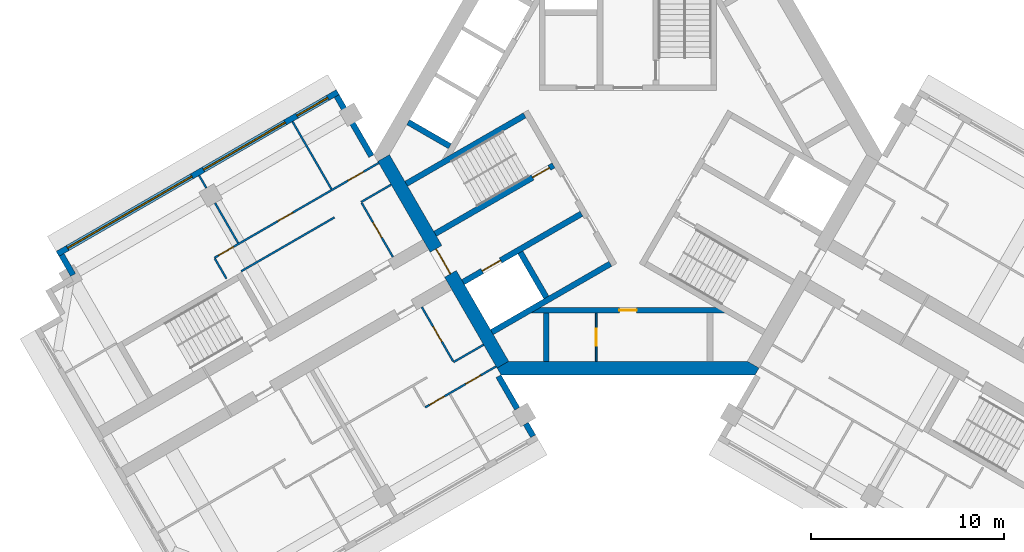
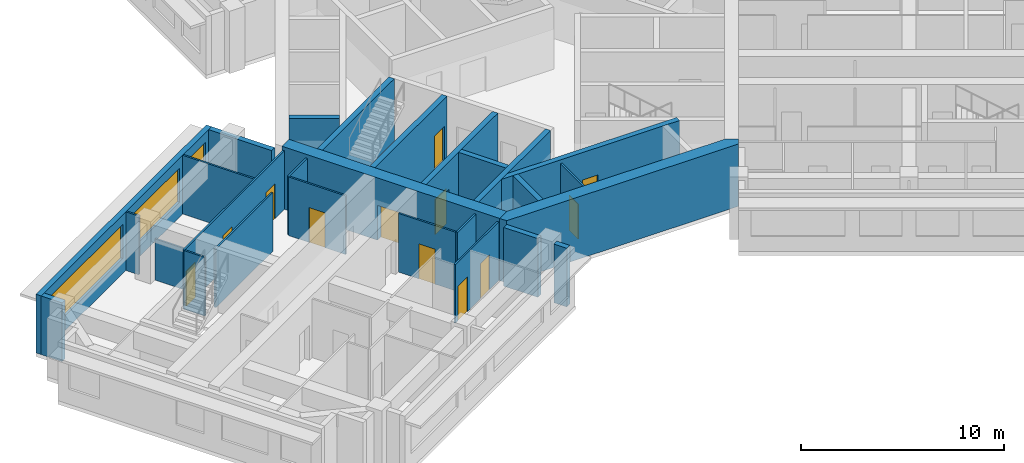
# One storey, part 3 of 11: 27 walls, 12 doors, 3 windows, 15 openings.
"""IFC4 building model written with IfcOpenShell, lengths in metres."""

from ifc_helpers import new_model, si_unit, direction, frame, frame_2d, origin, place, context, subcontext, project, spatial, polyline, rectangle, outline, extrude, material, layer, layer_set, type_object, element, fill, save


model = new_model("IFC4")

# Units and contexts
model_context = context("Model", 3, precision=1e-05, world=origin(), true_north=direction((0.0, 1.0)))
body_context = subcontext(model_context, "Body", "Model", "MODEL_VIEW")
ifc_project = project(units=[si_unit("LENGTHUNIT", "METRE"), si_unit("AREAUNIT", "SQUARE_METRE"), si_unit("VOLUMEUNIT", "CUBIC_METRE"), si_unit("PLANEANGLEUNIT", "RADIAN"), si_unit("MASSUNIT", "GRAM", prefix="KILO")], contexts=[model_context])

# Site, building, storey
site_placement = place(None, origin())
site = spatial("IfcSite", under=ifc_project, at=site_placement, CompositionType="ELEMENT")
building_placement = place(site_placement, origin())
building = spatial("IfcBuilding", under=site, at=building_placement, Name="Impinga Residences", CompositionType="ELEMENT")
storey_placement = place(building_placement, frame((0.0, 0.0, 248.5)))
storey = spatial("IfcBuildingStorey", under=building, at=storey_placement, Name="L62", CompositionType="ELEMENT", Elevation=248.5)

# Wall, opening, door
ifc_material_1 = material(Name="Concrete blockwork", Category="masonry")
ifc_layer_1 = layer(ifc_material_1, 0.10009765625)
ifc_layer_set_1 = layer_set([ifc_layer_1], Name="CP1 core room partition, blockwork 100")
wall_type_1 = type_object("IfcWallType", Name="CP1 core room partition, blockwork 100", PredefinedType="PARTITIONING", material=ifc_layer_set_1)
wall_1_placement = place(storey_placement, frame((-1.64990234375, -8.2314453125, 0.0), z_axis=(0.0, 0.0, 1.0), x_axis=(0.0, -1.0, 0.0)))
wall_1 = element("IfcWall", 1, at=wall_1_placement, inside=storey, type_object=wall_type_1, Name="Core room partition, blockwork L62:CORE:low:ZP1", PredefinedType="PARTITIONING", context=body_context, shape_type="SweptSolid", body=[
    extrude(rectangle(XDim=2.5, YDim=0.10009765625, at=frame_2d((1.25, 0.0))), origin(), (0.0, 0.0, 1.0), 3.530029296875),
])
opening_1_placement = place(wall_1_placement, frame((0.800048828125, 0.0, 0.0)))
opening_1 = element("IfcOpeningElement", 2, at=opening_1_placement, cuts=wall_1, Name="Opening D6", PredefinedType="OPENING", context=body_context, shape_type="SweptSolid", body=[
    extrude(rectangle(XDim=0.89990234375, YDim=2.10009765625, at=frame_2d((0.449951171875, 1.050048828125))), frame((0.0, 0.06005859375, 0.0), z_axis=(0.0, -1.0, 0.0), x_axis=(1.0, 0.0, 0.0)), (0.0, 0.0, 1.0), 0.1201171875),
])
ifc_material_2 = material(Name="Timber door set", Category="wood")
door_type_1 = type_object("IfcDoorType", Name="D6 riser and store door 900x2100", OperationType="SINGLE_SWING_LEFT", PredefinedType="DOOR", material=ifc_material_2)
door_1_placement = place(opening_1_placement, origin())
door_1 = element("IfcDoor", 3, at=door_1_placement, inside=storey, type_object=door_type_1, Name="Linen store door", OperationType="SINGLE_SWING_LEFT", OverallHeight=2.10009765625, OverallWidth=0.89990234375, PredefinedType="DOOR", context=body_context, shape_type="SweptSolid", body=[
    extrude(rectangle(XDim=0.89990234375, YDim=2.10009765625, at=frame_2d((0.449951171875, 1.050048828125))), frame((0.0, 0.02490234375, 0.0), z_axis=(0.0, -1.0, 0.0), x_axis=(1.0, 0.0, 0.0)), (0.0, 0.0, 1.0), 0.050048828125),
])
fill(opening_1, door_1)

# Wall
ifc_material_3 = material(Name="Terracotta rainscreen on blockwork", Category="masonry")
ifc_layer_2 = layer(ifc_material_3, 0.300048828125)
ifc_layer_set_2 = layer_set([ifc_layer_2], Name="EW1 external wall, terracotta rainscreen on blockwork 300")
wall_type_2 = type_object("IfcWallType", Name="EW1 external wall, terracotta rainscreen on blockwork 300", PredefinedType="SOLIDWALL", material=ifc_layer_set_2)
wall_2_placement = place(storey_placement, frame((-28.8193359375, -6.24658203125, 0.0), z_axis=(0.0, 0.0, 1.0), x_axis=(-0.500033551112, 0.866006032174, 0.0)))
element("IfcWall", 4, at=wall_2_placement, inside=storey, type_object=wall_type_2, Name="External wall EW1 L62", PredefinedType="SOLIDWALL", context=body_context, shape_type="SweptSolid", body=[
    extrude(rectangle(XDim=1.2001953125, YDim=0.300048828125, at=frame_2d((0.60009765625, 0.0))), origin(), (0.0, 0.0, 1.0), 3.530029296875),
])

# Wall, openings, windows
wall_3_placement = place(storey_placement, frame((-29.624267578125, -5.15234375, 0.0), z_axis=(0.0, 0.0, 1.0), x_axis=(0.86602925447, 0.499993330357, 0.0)))
wall_3 = element("IfcWall", 5, at=wall_3_placement, inside=storey, type_object=wall_type_2, Name="External wall EW1 L62", PredefinedType="SOLIDWALL", context=body_context, shape_type="SweptSolid", body=[
    extrude(rectangle(XDim=16.800048828125, YDim=0.300048828125, at=frame_2d((8.39990234375, 0.0))), origin(), (0.0, 0.0, 1.0), 3.530029296875),
])
opening_2_placement = place(wall_3_placement, frame((0.60009765625, 0.0, 0.89990234375)))
opening_2 = element("IfcOpeningElement", 6, at=opening_2_placement, cuts=wall_3, Name="Opening W7", PredefinedType="OPENING", context=body_context, shape_type="SweptSolid", body=[
    extrude(rectangle(XDim=7.449951171875, YDim=2.050048828125, at=frame_2d((3.72509765625, 1.02490234375))), frame((0.0, 0.159912109375, 0.0), z_axis=(0.0, -1.0, 0.0), x_axis=(1.0, 0.0, 0.0)), (0.0, 0.0, 1.0), 0.320068359375),
])
opening_3_placement = place(wall_3_placement, frame((8.75, 0.0, 0.89990234375)))
opening_3 = element("IfcOpeningElement", 7, at=opening_3_placement, cuts=wall_3, Name="Opening W16", PredefinedType="OPENING", context=body_context, shape_type="SweptSolid", body=[
    extrude(rectangle(XDim=4.89990234375, YDim=2.050048828125, at=frame_2d((2.449951171875, 1.02490234375))), frame((0.0, 0.159912109375, 0.0), z_axis=(0.0, -1.0, 0.0), x_axis=(1.0, 0.0, 0.0)), (0.0, 0.0, 1.0), 0.320068359375),
])
opening_4_placement = place(wall_3_placement, frame((14.35009765625, 0.0, 0.89990234375)))
opening_4 = element("IfcOpeningElement", 8, at=opening_4_placement, cuts=wall_3, Name="Opening W15", PredefinedType="OPENING", context=body_context, shape_type="SweptSolid", body=[
    extrude(rectangle(XDim=1.85009765625, YDim=2.050048828125, at=frame_2d((0.925048828125, 1.02490234375))), frame((0.0, 0.159912109375, 0.0), z_axis=(0.0, -1.0, 0.0), x_axis=(1.0, 0.0, 0.0)), (0.0, 0.0, 1.0), 0.320068359375),
])
ifc_material_4 = material(Name="Aluminium window, clear double glazing", Category="aluminium")
window_type_1 = type_object("IfcWindowType", Name="W15 ribbon window 1850x2050", PartitioningType="SINGLE_PANEL", PredefinedType="WINDOW", material=ifc_material_4)
window_1_placement = place(opening_4_placement, origin())
window_1 = element("IfcWindow", 9, at=window_1_placement, inside=storey, type_object=window_type_1, Name="Window L62", OverallHeight=2.050048828125, OverallWidth=1.85009765625, PartitioningType="SINGLE_PANEL", PredefinedType="WINDOW", context=body_context, shape_type="SweptSolid", body=[
    extrude(rectangle(XDim=1.85009765625, YDim=2.050048828125, at=frame_2d((0.925048828125, 1.02490234375))), frame((0.0, 0.030029296875, 0.0), z_axis=(0.0, -1.0, 0.0), x_axis=(1.0, 0.0, 0.0)), (0.0, 0.0, 1.0), 0.06005859375),
])
fill(opening_4, window_1)
window_type_2 = type_object("IfcWindowType", Name="W16 ribbon window 4900x2050", PartitioningType="SINGLE_PANEL", PredefinedType="WINDOW", material=ifc_material_4)
window_2_placement = place(opening_3_placement, origin())
window_2 = element("IfcWindow", 10, at=window_2_placement, inside=storey, type_object=window_type_2, Name="Window L62", OverallHeight=2.050048828125, OverallWidth=4.89990234375, PartitioningType="SINGLE_PANEL", PredefinedType="WINDOW", context=body_context, shape_type="SweptSolid", body=[
    extrude(rectangle(XDim=4.89990234375, YDim=2.050048828125, at=frame_2d((2.449951171875, 1.02490234375))), frame((0.0, 0.030029296875, 0.0), z_axis=(0.0, -1.0, 0.0), x_axis=(1.0, 0.0, 0.0)), (0.0, 0.0, 1.0), 0.06005859375),
])
fill(opening_3, window_2)
window_type_3 = type_object("IfcWindowType", Name="W7 ribbon window 7450x2050", PartitioningType="SINGLE_PANEL", PredefinedType="WINDOW", material=ifc_material_4)
window_3_placement = place(opening_2_placement, origin())
window_3 = element("IfcWindow", 11, at=window_3_placement, inside=storey, type_object=window_type_3, Name="Window L62", OverallHeight=2.050048828125, OverallWidth=7.449951171875, PartitioningType="SINGLE_PANEL", PredefinedType="WINDOW", context=body_context, shape_type="SweptSolid", body=[
    extrude(rectangle(XDim=7.449951171875, YDim=2.050048828125, at=frame_2d((3.72509765625, 1.02490234375))), frame((0.0, 0.030029296875, 0.0), z_axis=(0.0, -1.0, 0.0), x_axis=(1.0, 0.0, 0.0)), (0.0, 0.0, 1.0), 0.06005859375),
])
fill(opening_2, window_3)

# Walls
wall_4_placement = place(storey_placement, frame((-15.1298828125, 3.042724609375, 0.0), z_axis=(0.0, 0.0, 1.0), x_axis=(0.500012057535, -0.866018442252, 0.0)))
element("IfcWall", 12, at=wall_4_placement, inside=storey, type_object=wall_type_2, Name="External wall EW1 L62", PredefinedType="SOLIDWALL", context=body_context, shape_type="SweptSolid", body=[
    extrude(rectangle(XDim=3.60009765625, YDim=0.300048828125, at=frame_2d((1.800048828125, 0.0))), origin(), (0.0, 0.0, 1.0), 3.530029296875),
])
wall_5_placement = place(storey_placement, frame((-6.72998046875, -11.506591796875, 0.0), z_axis=(0.0, 0.0, 1.0), x_axis=(0.500043961785, -0.866000020948, 0.0)))
element("IfcWall", 13, at=wall_5_placement, inside=storey, type_object=wall_type_2, Name="External wall EW1 L62", PredefinedType="SOLIDWALL", context=body_context, shape_type="SweptSolid", body=[
    extrude(rectangle(XDim=1.949951171875, YDim=0.300048828125, at=frame_2d((0.97509765625, 0.0))), origin(), (0.0, 0.0, 1.0), 3.530029296875),
])
wall_6_placement = place(storey_placement, frame((-5.304931640625, -13.974609375, 0.0), z_axis=(0.0, 0.0, 1.0), x_axis=(0.499919672301, -0.866071776036, 0.0)))
element("IfcWall", 14, at=wall_6_placement, inside=storey, type_object=wall_type_2, Name="External wall EW1 L62", PredefinedType="SOLIDWALL", context=body_context, shape_type="SweptSolid", body=[
    extrude(rectangle(XDim=0.75, YDim=0.300048828125, at=frame_2d((0.375, 0.0))), origin(), (0.0, 0.0, 1.0), 3.530029296875),
])
ifc_material_5 = material(Name="Gypsum board on steel studs", Category="steel")
ifc_layer_3 = layer(ifc_material_5, 0.10009765625)
ifc_layer_set_3 = layer_set([ifc_layer_3], Name="Gypsum board on steel studs")
wall_type_3 = type_object("IfcWallType", Name="IP1 partition 100", PredefinedType="PARTITIONING", material=ifc_layer_set_3)
wall_7_placement = place(storey_placement, frame((-7.5, -9.872802734375, 0.0), z_axis=(0.0, 0.0, 1.0), x_axis=(-0.866047807691, -0.499961193289, 0.0)))
element("IfcWall", 15, at=wall_7_placement, inside=storey, type_object=wall_type_3, Name="Partition L62-WA1:DIV0", PredefinedType="PARTITIONING", context=body_context, shape_type="SweptSolid", body=[
    extrude(rectangle(XDim=1.800048828125, YDim=0.10009765625, at=frame_2d((0.89990234375, 0.0))), origin(), (0.0, 0.0, 1.0), 3.530029296875),
])

# Wall, openings, doors
wall_8_placement = place(storey_placement, frame((-6.85009765625, -10.99853515625, 0.0), z_axis=(0.0, 0.0, 1.0), x_axis=(-0.866014341725, -0.50001915956, 0.0)))
wall_8 = element("IfcWall", 16, at=wall_8_placement, inside=storey, type_object=wall_type_3, Name="Partition L62-WA1:STRIP", PredefinedType="PARTITIONING", context=body_context, shape_type="SweptSolid", body=[
    extrude(rectangle(XDim=4.249755859375, YDim=0.10009765625, at=frame_2d((2.125, 0.0))), origin(), (0.0, 0.0, 1.0), 3.530029296875),
])
opening_5_placement = place(wall_8_placement, frame((0.925048828125, 0.0, 0.0)))
opening_5 = element("IfcOpeningElement", 17, at=opening_5_placement, cuts=wall_8, Name="Opening D2", PredefinedType="OPENING", context=body_context, shape_type="SweptSolid", body=[
    extrude(rectangle(XDim=0.89990234375, YDim=2.10009765625, at=frame_2d((0.449951171875, 1.050048828125))), frame((0.0, 0.06005859375, 0.0), z_axis=(0.0, -1.0, 0.0), x_axis=(1.0, 0.0, 0.0)), (0.0, 0.0, 1.0), 0.1201171875),
])
opening_6_placement = place(wall_8_placement, frame((3.10009765625, 0.0, 0.0)))
opening_6 = element("IfcOpeningElement", 18, at=opening_6_placement, cuts=wall_8, Name="Opening D2", PredefinedType="OPENING", context=body_context, shape_type="SweptSolid", body=[
    extrude(rectangle(XDim=0.89990234375, YDim=2.10009765625, at=frame_2d((0.449951171875, 1.050048828125))), frame((0.0, 0.06005859375, 0.0), z_axis=(0.0, -1.0, 0.0), x_axis=(1.0, 0.0, 0.0)), (0.0, 0.0, 1.0), 0.1201171875),
])
door_type_2 = type_object("IfcDoorType", Name="D2 internal door 900x2100", OperationType="SINGLE_SWING_LEFT", PredefinedType="DOOR", material=ifc_material_2)
door_2_placement = place(opening_5_placement, origin())
door_2 = element("IfcDoor", 19, at=door_2_placement, inside=storey, type_object=door_type_2, Name="Apartment L62-WA1 room door", OperationType="SINGLE_SWING_LEFT", OverallHeight=2.10009765625, OverallWidth=0.89990234375, PredefinedType="DOOR", context=body_context, shape_type="SweptSolid", body=[
    extrude(rectangle(XDim=0.89990234375, YDim=2.10009765625, at=frame_2d((0.449951171875, 1.050048828125))), frame((0.0, 0.02490234375, 0.0), z_axis=(0.0, -1.0, 0.0), x_axis=(1.0, 0.0, 0.0)), (0.0, 0.0, 1.0), 0.050048828125),
])
fill(opening_5, door_2)
door_3_placement = place(opening_6_placement, origin())
door_3 = element("IfcDoor", 20, at=door_3_placement, inside=storey, type_object=door_type_2, Name="Apartment L62-WA1 room door", OperationType="SINGLE_SWING_RIGHT", OverallHeight=2.10009765625, OverallWidth=0.89990234375, PredefinedType="DOOR", context=body_context, shape_type="SweptSolid", body=[
    extrude(rectangle(XDim=0.89990234375, YDim=2.10009765625, at=frame_2d((0.449951171875, 1.050048828125))), frame((0.0, 0.02490234375, 0.0), z_axis=(0.0, -1.0, 0.0), x_axis=(1.0, 0.0, 0.0)), (0.0, 0.0, 1.0), 0.050048828125),
])
fill(opening_6, door_3)

# Wall, opening, door
wall_9_placement = place(storey_placement, frame((-10.708740234375, -7.914794921875, 0.0), z_axis=(0.0, 0.0, 1.0), x_axis=(0.499984717929, -0.866034226713, 0.0)))
wall_9 = element("IfcWall", 21, at=wall_9_placement, inside=storey, type_object=wall_type_3, Name="Partition L62-WA1:IB1", PredefinedType="PARTITIONING", context=body_context, shape_type="SweptSolid", body=[
    extrude(rectangle(XDim=3.25, YDim=0.10009765625, at=frame_2d((1.625, 0.0))), origin(), (0.0, 0.0, 1.0), 3.530029296875),
])
opening_7_placement = place(wall_9_placement, frame((1.175048828125, 0.0, 0.0)))
opening_7 = element("IfcOpeningElement", 22, at=opening_7_placement, cuts=wall_9, Name="Opening D2", PredefinedType="OPENING", context=body_context, shape_type="SweptSolid", body=[
    extrude(rectangle(XDim=0.89990234375, YDim=2.10009765625, at=frame_2d((0.449951171875, 1.050048828125))), frame((0.0, 0.06005859375, 0.0), z_axis=(0.0, -1.0, 0.0), x_axis=(1.0, 0.0, 0.0)), (0.0, 0.0, 1.0), 0.1201171875),
])
door_4_placement = place(opening_7_placement, origin())
door_4 = element("IfcDoor", 23, at=door_4_placement, inside=storey, type_object=door_type_2, Name="Apartment L62-WA1 bathroom door", OperationType="SINGLE_SWING_LEFT", OverallHeight=2.10009765625, OverallWidth=0.89990234375, PredefinedType="DOOR", context=body_context, shape_type="SweptSolid", body=[
    extrude(rectangle(XDim=0.89990234375, YDim=2.10009765625, at=frame_2d((0.449951171875, 1.050048828125))), frame((0.0, 0.02490234375, 0.0), z_axis=(0.0, -1.0, 0.0), x_axis=(1.0, 0.0, 0.0)), (0.0, 0.0, 1.0), 0.050048828125),
])
fill(opening_7, door_4)

# Walls
wall_10_placement = place(storey_placement, frame((-12.300048828125, -1.558837890625, 0.0), z_axis=(0.0, 0.0, 1.0), x_axis=(-0.866047807691, -0.499961193289, 0.0)))
element("IfcWall", 24, at=wall_10_placement, inside=storey, type_object=wall_type_3, Name="Partition L62-WF1:DIV0", PredefinedType="PARTITIONING", context=body_context, shape_type="SweptSolid", body=[
    extrude(rectangle(XDim=1.800048828125, YDim=0.10009765625, at=frame_2d((0.89990234375, 0.0))), origin(), (0.0, 0.0, 1.0), 3.530029296875),
])
wall_11_placement = place(storey_placement, frame((-15.244384765625, -3.2587890625, 0.0), z_axis=(0.0, 0.0, 1.0), x_axis=(-0.866026594901, -0.49999793692, 0.0)))
element("IfcWall", 25, at=wall_11_placement, inside=storey, type_object=wall_type_3, Name="Partition L62-WF1:DIV1", PredefinedType="PARTITIONING", context=body_context, shape_type="SweptSolid", body=[
    extrude(rectangle(XDim=5.60009765625, YDim=0.10009765625, at=frame_2d((2.800048828125, 0.0))), origin(), (0.0, 0.0, 1.0), 3.530029296875),
])

# Wall, openings, doors
wall_12_placement = place(storey_placement, frame((-12.949951171875, -0.43310546875, 0.0), z_axis=(0.0, 0.0, 1.0), x_axis=(-0.866038236991, -0.499977771575, 0.0)))
wall_12 = element("IfcWall", 26, at=wall_12_placement, inside=storey, type_object=wall_type_3, Name="Partition L62-WF1:STRIP", PredefinedType="PARTITIONING", context=body_context, shape_type="SweptSolid", body=[
    extrude(rectangle(XDim=9.85009765625, YDim=0.10009765625, at=frame_2d((4.925048828125, 0.0))), origin(), (0.0, 0.0, 1.0), 3.530029296875),
])
opening_8_placement = place(wall_12_placement, frame((0.925048828125, 0.0, 0.0)))
opening_8 = element("IfcOpeningElement", 27, at=opening_8_placement, cuts=wall_12, Name="Opening D2", PredefinedType="OPENING", context=body_context, shape_type="SweptSolid", body=[
    extrude(rectangle(XDim=0.89990234375, YDim=2.10009765625, at=frame_2d((0.449951171875, 1.050048828125))), frame((0.0, 0.06005859375, 0.0), z_axis=(0.0, -1.0, 0.0), x_axis=(1.0, 0.0, 0.0)), (0.0, 0.0, 1.0), 0.1201171875),
])
opening_9_placement = place(wall_12_placement, frame((5.14990234375, 0.0, 0.0)))
opening_9 = element("IfcOpeningElement", 28, at=opening_9_placement, cuts=wall_12, Name="Opening D2", PredefinedType="OPENING", context=body_context, shape_type="SweptSolid", body=[
    extrude(rectangle(XDim=0.89990234375, YDim=2.10009765625, at=frame_2d((0.449951171875, 1.050048828125))), frame((0.0, 0.06005859375, 0.0), z_axis=(0.0, -1.0, 0.0), x_axis=(1.0, 0.0, 0.0)), (0.0, 0.0, 1.0), 0.1201171875),
])
opening_10_placement = place(wall_12_placement, frame((8.699951171875, 0.0, 0.0)))
opening_10 = element("IfcOpeningElement", 29, at=opening_10_placement, cuts=wall_12, Name="Opening D2", PredefinedType="OPENING", context=body_context, shape_type="SweptSolid", body=[
    extrude(rectangle(XDim=0.89990234375, YDim=2.10009765625, at=frame_2d((0.449951171875, 1.050048828125))), frame((0.0, 0.06005859375, 0.0), z_axis=(0.0, -1.0, 0.0), x_axis=(1.0, 0.0, 0.0)), (0.0, 0.0, 1.0), 0.1201171875),
])
door_5_placement = place(opening_8_placement, origin())
door_5 = element("IfcDoor", 30, at=door_5_placement, inside=storey, type_object=door_type_2, Name="Apartment L62-WF1 room door", OperationType="SINGLE_SWING_LEFT", OverallHeight=2.10009765625, OverallWidth=0.89990234375, PredefinedType="DOOR", context=body_context, shape_type="SweptSolid", body=[
    extrude(rectangle(XDim=0.89990234375, YDim=2.10009765625, at=frame_2d((0.449951171875, 1.050048828125))), frame((0.0, 0.02490234375, 0.0), z_axis=(0.0, -1.0, 0.0), x_axis=(1.0, 0.0, 0.0)), (0.0, 0.0, 1.0), 0.050048828125),
])
fill(opening_8, door_5)
door_6_placement = place(opening_9_placement, origin())
door_6 = element("IfcDoor", 31, at=door_6_placement, inside=storey, type_object=door_type_2, Name="Apartment L62-WF1 room door", OperationType="SINGLE_SWING_RIGHT", OverallHeight=2.10009765625, OverallWidth=0.89990234375, PredefinedType="DOOR", context=body_context, shape_type="SweptSolid", body=[
    extrude(rectangle(XDim=0.89990234375, YDim=2.10009765625, at=frame_2d((0.449951171875, 1.050048828125))), frame((0.0, 0.02490234375, 0.0), z_axis=(0.0, -1.0, 0.0), x_axis=(1.0, 0.0, 0.0)), (0.0, 0.0, 1.0), 0.050048828125),
])
fill(opening_9, door_6)
door_7_placement = place(opening_10_placement, origin())
door_7 = element("IfcDoor", 32, at=door_7_placement, inside=storey, type_object=door_type_2, Name="Apartment L62-WF1 room door", OperationType="SINGLE_SWING_RIGHT", OverallHeight=2.10009765625, OverallWidth=0.89990234375, PredefinedType="DOOR", context=body_context, shape_type="SweptSolid", body=[
    extrude(rectangle(XDim=0.89990234375, YDim=2.10009765625, at=frame_2d((0.449951171875, 1.050048828125))), frame((0.0, 0.02490234375, 0.0), z_axis=(0.0, -1.0, 0.0), x_axis=(1.0, 0.0, 0.0)), (0.0, 0.0, 1.0), 0.050048828125),
])
fill(opening_10, door_7)

# Wall
wall_13_placement = place(storey_placement, frame((-20.85546875, -6.4404296875, 0.0), z_axis=(0.0, 0.0, 1.0), x_axis=(-0.499969057507, 0.866043267704, 0.0)))
element("IfcWall", 33, at=wall_13_placement, inside=storey, type_object=wall_type_3, Name="Partition L62-WF1:SE1", PredefinedType="PARTITIONING", context=body_context, shape_type="SweptSolid", body=[
    extrude(rectangle(XDim=1.19970703125, YDim=0.10009765625, at=frame_2d((0.599853515625, 0.0))), origin(), (0.0, 0.0, 1.0), 3.530029296875),
])

# Wall, opening, door
wall_14_placement = place(storey_placement, frame((-12.208740234375, -5.316650390625, 0.0), z_axis=(0.0, 0.0, 1.0), x_axis=(-0.500017246033, 0.866015446554, 0.0)))
wall_14 = element("IfcWall", 34, at=wall_14_placement, inside=storey, type_object=wall_type_3, Name="Partition L62-WF1:IB1", PredefinedType="PARTITIONING", context=body_context, shape_type="SweptSolid", body=[
    extrude(rectangle(XDim=3.25, YDim=0.10009765625, at=frame_2d((1.625, 0.0))), origin(), (0.0, 0.0, 1.0), 3.530029296875),
])
opening_11_placement = place(wall_14_placement, frame((1.175048828125, 0.0, 0.0)))
opening_11 = element("IfcOpeningElement", 35, at=opening_11_placement, cuts=wall_14, Name="Opening D2", PredefinedType="OPENING", context=body_context, shape_type="SweptSolid", body=[
    extrude(rectangle(XDim=0.89990234375, YDim=2.10009765625, at=frame_2d((0.449951171875, 1.050048828125))), frame((0.0, 0.06005859375, 0.0), z_axis=(0.0, -1.0, 0.0), x_axis=(1.0, 0.0, 0.0)), (0.0, 0.0, 1.0), 0.1201171875),
])
door_8_placement = place(opening_11_placement, origin())
door_8 = element("IfcDoor", 36, at=door_8_placement, inside=storey, type_object=door_type_2, Name="Apartment L62-WF1 bathroom door", OperationType="SINGLE_SWING_LEFT", OverallHeight=2.10009765625, OverallWidth=0.89990234375, PredefinedType="DOOR", context=body_context, shape_type="SweptSolid", body=[
    extrude(rectangle(XDim=0.89990234375, YDim=2.10009765625, at=frame_2d((0.449951171875, 1.050048828125))), frame((0.0, 0.02490234375, 0.0), z_axis=(0.0, -1.0, 0.0), x_axis=(1.0, 0.0, 0.0)), (0.0, 0.0, 1.0), 0.050048828125),
])
fill(opening_11, door_8)

# Walls
wall_15_placement = place(storey_placement, frame((-15.39990234375, -1.789794921875, 0.0), z_axis=(0.0, 0.0, 1.0), x_axis=(-0.499964223975, 0.866046058097, 0.0)))
element("IfcWall", 37, at=wall_15_placement, inside=storey, type_object=wall_type_3, Name="Partition L62-WF1:OB1", PredefinedType="PARTITIONING", context=body_context, shape_type="SweptSolid", body=[
    extrude(rectangle(XDim=4.050048828125, YDim=0.10009765625, at=frame_2d((2.02490234375, 0.0))), origin(), (0.0, 0.0, 1.0), 3.530029296875),
])
wall_16_placement = place(storey_placement, frame((-20.24951171875, -4.589599609375, 0.0), z_axis=(0.0, 0.0, 1.0), x_axis=(-0.500077600433, 0.865980596518, 0.0)))
element("IfcWall", 38, at=wall_16_placement, inside=storey, type_object=wall_type_3, Name="Partition L62-WF1:OB2", PredefinedType="PARTITIONING", context=body_context, shape_type="SweptSolid", body=[
    extrude(rectangle(XDim=2.39990234375, YDim=0.10009765625, at=frame_2d((1.199951171875, 0.0))), origin(), (0.0, 0.0, 1.0), 2.47998046875),
])
wall_17_placement = place(storey_placement, frame((-21.899658203125, -1.73193359375, 0.0), z_axis=(0.0, 0.0, 1.0), x_axis=(-0.499919672301, 0.866071776036, 0.0)))
element("IfcWall", 39, at=wall_17_placement, inside=storey, type_object=wall_type_3, Name="Partition L62-WF1:OB2b", PredefinedType="PARTITIONING", context=body_context, shape_type="SweptSolid", body=[
    extrude(rectangle(XDim=0.75, YDim=0.10009765625, at=frame_2d((0.375, 0.0))), origin(), (0.0, 0.0, 1.0), 3.530029296875),
])

# Wall, opening, door
ifc_material_6 = material(Name="Concrete C60/75", Category="concrete")
ifc_layer_4 = layer(ifc_material_6, 0.699951171875)
ifc_layer_set_4 = layer_set([ifc_layer_4], Name="Concrete C60/75")
wall_type_4 = type_object("IfcWallType", Name="SW3 core wall 700", PredefinedType="SHEAR", material=ifc_layer_set_4)
wall_18_placement = place(storey_placement, frame((-6.4990234375, -10.906494140625, 0.0), z_axis=(0.0, 0.0, 1.0), x_axis=(-0.499999875397, 0.866025475724, 0.0)))
wall_18 = element("IfcWall", 40, at=wall_18_placement, inside=storey, type_object=wall_type_4, Name="Core wall SW3 W:FACE L62", PredefinedType="SHEAR", context=body_context, shape_type="SweptSolid", body=[
    extrude(rectangle(XDim=12.3916015625, YDim=0.699951171875, at=frame_2d((6.19580078125, 0.0))), origin(), (0.0, 0.0, 1.0), 3.75),
])
opening_12_placement = place(wall_18_placement, frame((5.44580078125, 0.0, 0.0)))
opening_12 = element("IfcOpeningElement", 41, at=opening_12_placement, cuts=wall_18, Name="Opening D4", PredefinedType="OPENING", context=body_context, shape_type="SweptSolid", body=[
    extrude(rectangle(XDim=1.5, YDim=2.10009765625, at=frame_2d((0.75, 1.050048828125))), frame((0.0, 0.35986328125, 0.0), z_axis=(0.0, -1.0, 0.0), x_axis=(1.0, 0.0, 0.0)), (0.0, 0.0, 1.0), 0.719970703125),
])
door_type_3 = type_object("IfcDoorType", Name="D4 lobby door pair 1500x2100", OperationType="DOUBLE_DOOR_DOUBLE_SWING", PredefinedType="DOOR", material=ifc_material_2)
door_9_placement = place(opening_12_placement, origin())
door_9 = element("IfcDoor", 42, at=door_9_placement, inside=storey, type_object=door_type_3, Name="Lobby door W", OperationType="DOUBLE_DOOR_DOUBLE_SWING", OverallHeight=2.10009765625, OverallWidth=1.5, PredefinedType="DOOR", context=body_context, shape_type="SweptSolid", body=[
    extrude(rectangle(XDim=1.5, YDim=2.10009765625, at=frame_2d((0.75, 1.050048828125))), frame((0.0, 0.02490234375, 0.0), z_axis=(0.0, -1.0, 0.0), x_axis=(1.0, 0.0, 0.0)), (0.0, 0.0, 1.0), 0.050048828125),
])
fill(opening_12, door_9)

# Wall
wall_19_placement = place(storey_placement, origin())
element("IfcWall", 43, at=wall_19_placement, inside=storey, type_object=wall_type_4, Name="Core wall SW3 N:EXPOSED L62", PredefinedType="SHEAR", context=body_context, shape_type="SweptSolid", body=[
    extrude(outline(polyline([(-6.60009765625, -11.431640625), (6.60009765625, -11.431640625), (6.802001953125, -11.08154296875), (6.19580078125, -10.7314453125), (-6.19580078125, -10.7314453125), (-6.802001953125, -11.08154296875), (-6.60009765625, -11.431640625)])), origin(), (0.0, 0.0, 1.0), 3.75),
])

# Wall, opening, door
ifc_material_7 = material(Name="Concrete C70/85", Category="concrete")
ifc_layer_5 = layer(ifc_material_7, 0.300048828125)
ifc_layer_set_5 = layer_set([ifc_layer_5], Name="Concrete C70/85")
wall_type_5 = type_object("IfcWallType", Name="SW5 core inner wall, stairs, shafts and lobbies 300", PredefinedType="SHEAR", material=ifc_layer_set_5)
wall_20_placement = place(storey_placement, frame((-3.86865234375, -0.559326171875, 0.0), z_axis=(0.0, 0.0, 1.0), x_axis=(-0.866025859768, -0.499999210213, 0.0)))
wall_20 = element("IfcWall", 44, at=wall_20_placement, inside=storey, type_object=wall_type_5, Name="Core wall SW5 W:ST-IN L62", PredefinedType="SHEAR", context=body_context, shape_type="SweptSolid", body=[
    extrude(rectangle(XDim=7.1015625, YDim=0.300048828125, at=frame_2d((3.55078125, 0.0))), origin(), (0.0, 0.0, 1.0), 3.75),
])
opening_13_placement = place(wall_20_placement, frame((0.25, 0.0, 0.0)))
opening_13 = element("IfcOpeningElement", 45, at=opening_13_placement, cuts=wall_20, Name="Opening D5", PredefinedType="OPENING", context=body_context, shape_type="SweptSolid", body=[
    extrude(rectangle(XDim=1.0, YDim=2.10009765625, at=frame_2d((0.5, 1.050048828125))), frame((0.0, 0.159912109375, 0.0), z_axis=(0.0, -1.0, 0.0), x_axis=(1.0, 0.0, 0.0)), (0.0, 0.0, 1.0), 0.320068359375),
])
door_type_4 = type_object("IfcDoorType", Name="D5 stair door 1000x2100", OperationType="SINGLE_SWING_LEFT", PredefinedType="DOOR", material=ifc_material_2)
door_10_placement = place(opening_13_placement, origin())
door_10 = element("IfcDoor", 46, at=door_10_placement, inside=storey, type_object=door_type_4, Name="Stair door W", OperationType="SINGLE_SWING_LEFT", OverallHeight=2.10009765625, OverallWidth=1.0, PredefinedType="DOOR", context=body_context, shape_type="SweptSolid", body=[
    extrude(rectangle(XDim=1.0, YDim=2.10009765625, at=frame_2d((0.5, 1.050048828125))), frame((0.0, 0.02490234375, 0.0), z_axis=(0.0, -1.0, 0.0), x_axis=(1.0, 0.0, 0.0)), (0.0, 0.0, 1.0), 0.050048828125),
])
fill(opening_13, door_10)

# Wall
wall_21_placement = place(storey_placement, frame((-5.36865234375, 2.038818359375, 0.0), z_axis=(0.0, 0.0, 1.0), x_axis=(-0.866025859768, -0.499999210213, 0.0)))
element("IfcWall", 47, at=wall_21_placement, inside=storey, type_object=wall_type_5, Name="Core wall SW5 W:ST-OUT L62", PredefinedType="SHEAR", context=body_context, shape_type="SweptSolid", body=[
    extrude(rectangle(XDim=7.1015625, YDim=0.300048828125, at=frame_2d((3.55078125, 0.0))), origin(), (0.0, 0.0, 1.0), 3.75),
])

# Wall, opening, door
wall_22_placement = place(storey_placement, frame((-2.418701171875, -3.07080078125, 0.0), z_axis=(0.0, 0.0, 1.0), x_axis=(-0.866025859768, -0.499999210213, 0.0)))
wall_22 = element("IfcWall", 48, at=wall_22_placement, inside=storey, type_object=wall_type_5, Name="Core wall SW5 W:FF-IN L62", PredefinedType="SHEAR", context=body_context, shape_type="SweptSolid", body=[
    extrude(rectangle(XDim=7.1015625, YDim=0.300048828125, at=frame_2d((3.55078125, 0.0))), origin(), (0.0, 0.0, 1.0), 3.75),
])
opening_14_placement = place(wall_22_placement, frame((4.85009765625, 0.0, 0.0)))
opening_14 = element("IfcOpeningElement", 49, at=opening_14_placement, cuts=wall_22, Name="Opening LD2", PredefinedType="OPENING", context=body_context, shape_type="SweptSolid", body=[
    extrude(rectangle(XDim=1.10009765625, YDim=2.10009765625, at=frame_2d((0.550048828125, 1.050048828125))), frame((0.0, 0.159912109375, 0.0), z_axis=(0.0, -1.0, 0.0), x_axis=(1.0, 0.0, 0.0)), (0.0, 0.0, 1.0), 0.320068359375),
])
ifc_material_8 = material(Name="Steel lift landing door", Category="steel")
door_type_5 = type_object("IfcDoorType", Name="LD2 firefighting lift landing door 1100x2100", OperationType="DOUBLE_DOOR_SLIDING", PredefinedType="DOOR", material=ifc_material_8)
door_11_placement = place(opening_14_placement, origin())
door_11 = element("IfcDoor", 50, at=door_11_placement, inside=storey, type_object=door_type_5, Name="Firefighting lift landing door F2", OperationType="DOUBLE_DOOR_SLIDING", OverallHeight=2.10009765625, OverallWidth=1.10009765625, PredefinedType="DOOR", context=body_context, shape_type="SweptSolid", body=[
    extrude(rectangle(XDim=1.10009765625, YDim=2.10009765625, at=frame_2d((0.550048828125, 1.050048828125))), frame((0.0, 0.02490234375, 0.0), z_axis=(0.0, -1.0, 0.0), x_axis=(1.0, 0.0, 0.0)), (0.0, 0.0, 1.0), 0.050048828125),
])
fill(opening_14, door_11)

# Walls
wall_23_placement = place(storey_placement, frame((-0.918701171875, -5.668701171875, 0.0), z_axis=(0.0, 0.0, 1.0), x_axis=(-0.866025859768, -0.499999210213, 0.0)))
element("IfcWall", 51, at=wall_23_placement, inside=storey, type_object=wall_type_5, Name="Core wall SW5 W:FF-OUT L62", PredefinedType="SHEAR", context=body_context, shape_type="SweptSolid", body=[
    extrude(rectangle(XDim=7.1015625, YDim=0.300048828125, at=frame_2d((3.55078125, 0.0))), origin(), (0.0, 0.0, 1.0), 3.75),
])
wall_24_placement = place(storey_placement, frame((-4.2412109375, -7.413818359375, 0.0), z_axis=(0.0, 0.0, 1.0), x_axis=(-0.500048589285, 0.86599734893, 0.0)))
element("IfcWall", 52, at=wall_24_placement, inside=storey, type_object=wall_type_5, Name="Core wall SW5 W:FF-RS L62", PredefinedType="SHEAR", context=body_context, shape_type="SweptSolid", body=[
    extrude(rectangle(XDim=2.699951171875, YDim=0.300048828125, at=frame_2d((1.35009765625, 0.0))), origin(), (0.0, 0.0, 1.0), 3.75),
])

# Wall, opening, door
wall_25_placement = place(storey_placement, frame((5.09765625, -8.08154296875, 0.0), z_axis=(0.0, 0.0, 1.0), x_axis=(-1.0, 0.0, 0.0)))
wall_25 = element("IfcWall", 53, at=wall_25_placement, inside=storey, type_object=wall_type_5, Name="Core wall SW5 N:BANK-FRONT L62", PredefinedType="SHEAR", context=body_context, shape_type="SweptSolid", body=[
    extrude(rectangle(XDim=10.1953125, YDim=0.300048828125, at=frame_2d((5.09765625, 0.0))), origin(), (0.0, 0.0, 1.0), 3.75),
])
opening_15_placement = place(wall_25_placement, frame((4.647705078125, 0.0, 0.0)))
opening_15 = element("IfcOpeningElement", 54, at=opening_15_placement, cuts=wall_25, Name="Opening D6", PredefinedType="OPENING", context=body_context, shape_type="SweptSolid", body=[
    extrude(rectangle(XDim=0.89990234375, YDim=2.10009765625, at=frame_2d((0.449951171875, 1.050048828125))), frame((0.0, 0.159912109375, 0.0), z_axis=(0.0, -1.0, 0.0), x_axis=(1.0, 0.0, 0.0)), (0.0, 0.0, 1.0), 0.320068359375),
])
door_12_placement = place(opening_15_placement, origin())
door_12 = element("IfcDoor", 55, at=door_12_placement, inside=storey, type_object=door_type_1, Name="Housekeeping store door", OperationType="SINGLE_SWING_LEFT", OverallHeight=2.10009765625, OverallWidth=0.89990234375, PredefinedType="DOOR", context=body_context, shape_type="SweptSolid", body=[
    extrude(rectangle(XDim=0.89990234375, YDim=2.10009765625, at=frame_2d((0.449951171875, 1.050048828125))), frame((0.0, 0.02490234375, 0.0), z_axis=(0.0, -1.0, 0.0), x_axis=(1.0, 0.0, 0.0)), (0.0, 0.0, 1.0), 0.050048828125),
])
fill(opening_15, door_12)

# Walls
for number, where, z_axis, x_axis, name in (
    (56, (-4.25, -8.2314453125, 0.0), (0.0, 0.0, 1.0), (0.0, -1.0, 0.0), "Core wall SW5 N:BANK-R L62"),
    (57, (-9.253662109375, 0.43505859375, 0.0), (0.0, 0.0, 1.0), (-0.866022959057, 0.500004234368, 0.0), "Core wall SW5 E:BANK-L L62"),
):
    element("IfcWall", number, at=place(storey_placement, frame(where, z_axis=z_axis, x_axis=x_axis)), inside=storey, type_object=wall_type_5, Name=name, PredefinedType="SHEAR", context=body_context, shape_type="SweptSolid", body=[
        extrude(rectangle(XDim=2.5, YDim=0.300048828125, at=frame_2d((1.25, 0.0))), origin(), (0.0, 0.0, 1.0), 3.75),
    ])

save(model, "model.ifc")
